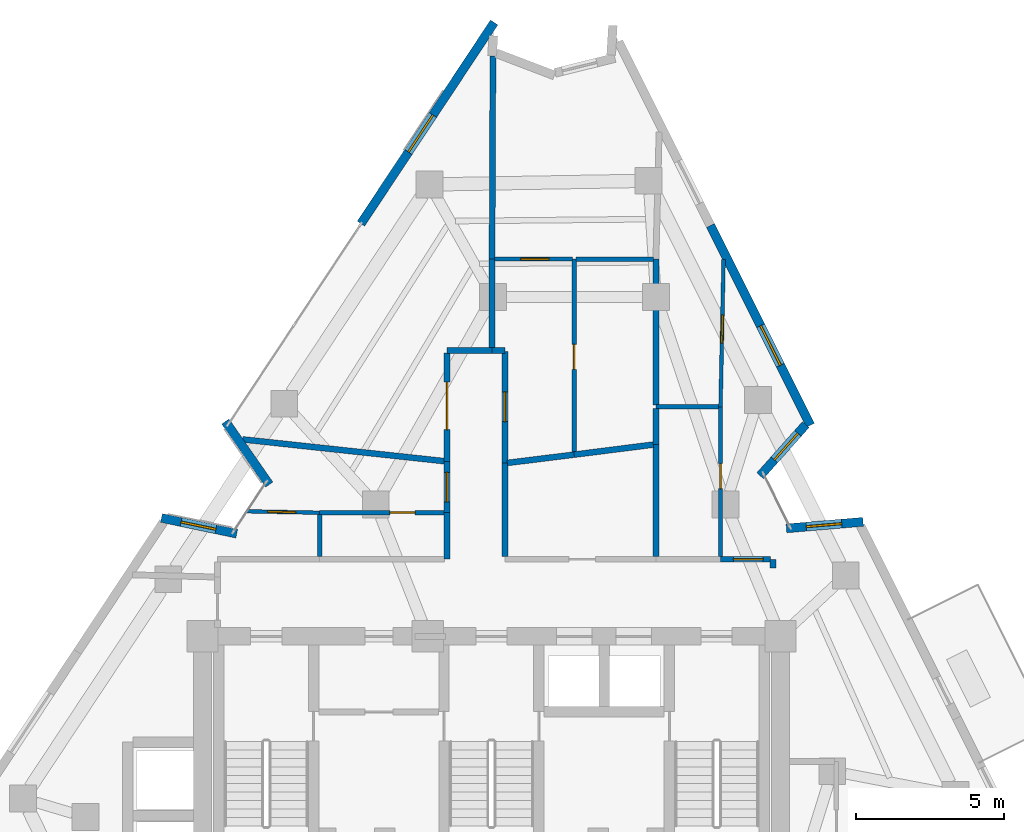
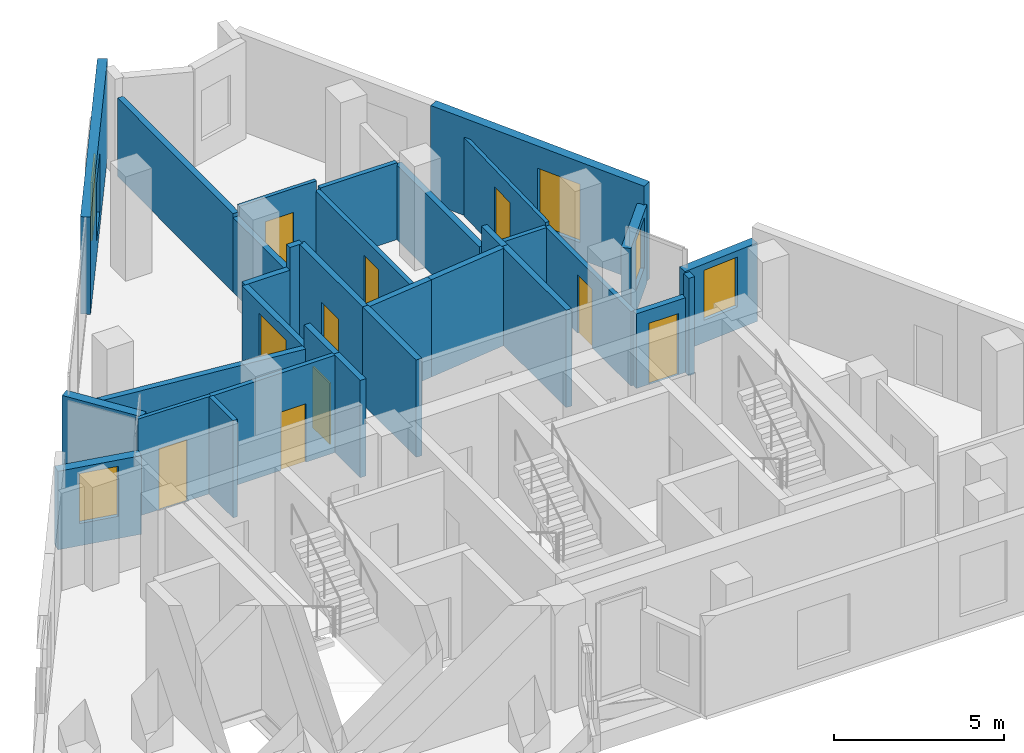
# One storey, part 6 of 9: 32 walls, 10 doors, 5 windows, 15 openings.
"""IFC4 building model written with IfcOpenShell, lengths in metres."""

from ifc_helpers import new_model, si_unit, direction, frame, frame_2d, origin, place, context, subcontext, project, spatial, rectangle, extrude, material, layer, layer_set, type_object, element, fill, save


model = new_model("IFC4")

# Units and contexts
model_context = context("Model", 3, precision=1e-05, world=origin(), true_north=direction((0.0, 1.0)))
body_context = subcontext(model_context, "Body", "Model", "MODEL_VIEW")
ifc_project = project(units=[si_unit("LENGTHUNIT", "METRE"), si_unit("AREAUNIT", "SQUARE_METRE"), si_unit("VOLUMEUNIT", "CUBIC_METRE"), si_unit("PLANEANGLEUNIT", "RADIAN"), si_unit("MASSUNIT", "GRAM", prefix="KILO")], contexts=[model_context])

# Site, building, storey
site_placement = place(None, origin())
site = spatial("IfcSite", under=ifc_project, at=site_placement, CompositionType="ELEMENT")
building_placement = place(site_placement, origin())
building = spatial("IfcBuilding", under=site, at=building_placement, Name="Almagre Mirador Tower", CompositionType="ELEMENT")
storey_placement = place(building_placement, frame((0.0, 0.0, 259.5)))
storey = spatial("IfcBuildingStorey", under=building, at=storey_placement, Name="L67", CompositionType="ELEMENT", Elevation=259.5)

# Wall, opening, window
ifc_material_1 = material(Name="Precast concrete C50/60", Category="concrete")
ifc_layer_1 = layer(ifc_material_1, 0.300048828125)
ifc_layer_set_1 = layer_set([ifc_layer_1], Name="Precast concrete C50/60")
wall_type_1 = type_object("IfcWallType", Name="WAL-EXT-300", PredefinedType="SOLIDWALL", material=ifc_layer_set_1)
wall_1_placement = place(storey_placement, frame((26.1640625, 18.74462890625, 0.0), z_axis=(0.0, 0.0, 1.0), x_axis=(0.978800719283, -0.204814921162, 0.0)))
wall_1 = element("IfcWall", 1, at=wall_1_placement, inside=storey, type_object=wall_type_1, Name="L67 expressed almagre precast frame wall 01", PredefinedType="SOLIDWALL", context=body_context, shape_type="SweptSolid", body=[
    extrude(rectangle(XDim=2.59375, YDim=0.300048828125, at=frame_2d((1.296875, 0.0))), origin(), (0.0, 0.0, 1.0), 2.824951171875),
])
opening_1_placement = place(wall_1_placement, frame((0.675048828125, 0.0, 0.800048828125)))
opening_1 = element("IfcOpeningElement", 2, at=opening_1_placement, cuts=wall_1, Name="Opening WN-04", PredefinedType="OPENING", context=body_context, shape_type="SweptSolid", body=[
    extrude(rectangle(XDim=1.199951171875, YDim=1.800048828125, at=frame_2d((0.60009765625, 0.89990234375))), frame((0.0, 0.159902, 0.0), z_axis=(0.0, -1.0, 0.0), x_axis=(1.0, 0.0, 0.0)), (0.0, 0.0, 1.0), 0.320049),
])
ifc_material_2 = material(Name="Dark solar-control laminated hurricane glass", Category="glass")
window_type_1 = type_object("IfcWindowType", Name="WIN-1200X1800", PartitioningType="SINGLE_PANEL", PredefinedType="WINDOW", material=ifc_material_2)
window_1_placement = place(opening_1_placement, origin())
window_1 = element("IfcWindow", 3, at=window_1_placement, inside=storey, type_object=window_type_1, Name="L67 recessed hurricane window L67-UF-KT", OverallHeight=1.800048828125, OverallWidth=1.199951171875, PartitioningType="SINGLE_PANEL", PredefinedType="WINDOW", context=body_context, shape_type="SweptSolid", body=[
    extrude(rectangle(XDim=1.199951171875, YDim=1.800048828125, at=frame_2d((0.60009765625, 0.89990234375))), frame((0.0, 0.030029296875, 0.0), z_axis=(0.0, -1.0, 0.0), x_axis=(1.0, 0.0, 0.0)), (0.0, 0.0, 1.0), 0.06005859375),
])
fill(opening_1, window_1)

# Wall
wall_2_placement = place(storey_placement, frame((29.7998046875, 19.869140625, 0.0), z_axis=(0.0, 0.0, 1.0), x_axis=(-0.570863153193, 0.821045224288, 0.0)))
element("IfcWall", 4, at=wall_2_placement, inside=storey, type_object=wall_type_1, Name="L67 expressed almagre precast frame wall 02", PredefinedType="SOLIDWALL", context=body_context, shape_type="SweptSolid", body=[
    extrude(rectangle(XDim=2.59375, YDim=0.300048828125, at=frame_2d((1.296875, 0.0))), origin(), (0.0, 0.0, 1.0), 2.824951171875),
])

# Wall, opening, window
wall_3_placement = place(storey_placement, frame((32.8955078125, 28.674560546875, 0.0), z_axis=(0.0, 0.0, 1.0), x_axis=(0.552110297452, 0.83377108336, 0.0)))
wall_3 = element("IfcWall", 5, at=wall_3_placement, inside=storey, type_object=wall_type_1, Name="L67 expressed almagre precast frame wall 03", PredefinedType="SOLIDWALL", context=body_context, shape_type="SweptSolid", body=[
    extrude(rectangle(XDim=8.144287109375, YDim=0.300048828125, at=frame_2d((4.072265625, 0.0))), origin(), (0.0, 0.0, 1.0), 3.5),
])
opening_2_placement = place(wall_3_placement, frame((2.89990234375, 0.0, 0.60009765625)))
opening_2 = element("IfcOpeningElement", 6, at=opening_2_placement, cuts=wall_3, Name="Opening WN-03", PredefinedType="OPENING", context=body_context, shape_type="SweptSolid", body=[
    extrude(rectangle(XDim=1.5, YDim=2.10009765625, at=frame_2d((0.75, 1.050048828125))), frame((0.0, 0.159902, 0.0), z_axis=(0.0, -1.0, 0.0), x_axis=(1.0, 0.0, 0.0)), (0.0, 0.0, 1.0), 0.320049),
])
ifc_material_3 = material(Name="Dark solar-control laminated hurricane glass", Category="glass")
window_type_2 = type_object("IfcWindowType", Name="WIN-1500X2100", PartitioningType="DOUBLE_PANEL_VERTICAL", PredefinedType="WINDOW", material=ifc_material_3)
window_2_placement = place(opening_2_placement, origin())
window_2 = element("IfcWindow", 7, at=window_2_placement, inside=storey, type_object=window_type_2, Name="L67 recessed hurricane window L67-RST-H", OverallHeight=2.10009765625, OverallWidth=1.5, PartitioningType="SINGLE_PANEL", PredefinedType="WINDOW", context=body_context, shape_type="SweptSolid", body=[
    extrude(rectangle(XDim=1.5, YDim=2.10009765625, at=frame_2d((0.75, 1.050048828125))), frame((0.0, 0.030029296875, 0.0), z_axis=(0.0, -1.0, 0.0), x_axis=(1.0, 0.0, 0.0)), (0.0, 0.0, 1.0), 0.06005859375),
])
fill(opening_2, window_2)

wall_4_placement = place(storey_placement, frame((44.694580078125, 28.610595703125, 0.0), z_axis=(0.0, 0.0, 1.0), x_axis=(0.447161731119, -0.894453121311, 0.0)))
wall_4 = element("IfcWall", 8, at=wall_4_placement, inside=storey, type_object=wall_type_1, Name="L67 expressed almagre precast frame wall 09", PredefinedType="SOLIDWALL", context=body_context, shape_type="SweptSolid", body=[
    extrude(rectangle(XDim=7.53173828125, YDim=0.300048828125, at=frame_2d((3.765869140625, 0.0))), origin(), (0.0, 0.0, 1.0), 3.5),
])
opening_3_placement = place(wall_4_placement, frame((3.77490234375, 0.0, 0.60009765625)))
opening_3 = element("IfcOpeningElement", 9, at=opening_3_placement, cuts=wall_4, Name="Opening WN-03", PredefinedType="OPENING", context=body_context, shape_type="SweptSolid", body=[
    extrude(rectangle(XDim=1.5, YDim=2.10009765625, at=frame_2d((0.75, 1.050048828125))), frame((0.0, 0.159902, 0.0), z_axis=(0.0, -1.0, 0.0), x_axis=(1.0, 0.0, 0.0)), (0.0, 0.0, 1.0), 0.320049),
])
window_3_placement = place(opening_3_placement, origin())
window_3 = element("IfcWindow", 10, at=window_3_placement, inside=storey, type_object=window_type_2, Name="L67 recessed hurricane window L67-UJ-ST", OverallHeight=2.10009765625, OverallWidth=1.5, PartitioningType="SINGLE_PANEL", PredefinedType="WINDOW", context=body_context, shape_type="SweptSolid", body=[
    extrude(rectangle(XDim=1.5, YDim=2.10009765625, at=frame_2d((0.75, 1.050048828125))), frame((0.0, 0.030029296875, 0.0), z_axis=(0.0, -1.0, 0.0), x_axis=(1.0, 0.0, 0.0)), (0.0, 0.0, 1.0), 0.06005859375),
])
fill(opening_3, window_3)

wall_5_placement = place(storey_placement, frame((47.90673828125, 21.89453125, 0.0), z_axis=(0.0, 0.0, 1.0), x_axis=(-0.665751463499, -0.746173564829, 0.0)))
wall_5 = element("IfcWall", 11, at=wall_5_placement, inside=storey, type_object=wall_type_1, Name="L67 expressed almagre precast frame wall 10", PredefinedType="SOLIDWALL", context=body_context, shape_type="SweptSolid", body=[
    extrude(rectangle(XDim=2.313232421875, YDim=0.300048828125, at=frame_2d((1.15673828125, 0.0))), origin(), (0.0, 0.0, 1.0), 2.824951171875),
])
opening_4_placement = place(wall_5_placement, frame((0.39501953125, 0.0, 0.800048828125)))
opening_4 = element("IfcOpeningElement", 12, at=opening_4_placement, cuts=wall_5, Name="Opening WN-04", PredefinedType="OPENING", context=body_context, shape_type="SweptSolid", body=[
    extrude(rectangle(XDim=1.199951171875, YDim=1.800048828125, at=frame_2d((0.60009765625, 0.89990234375))), frame((0.0, 0.159902, 0.0), z_axis=(0.0, -1.0, 0.0), x_axis=(1.0, 0.0, 0.0)), (0.0, 0.0, 1.0), 0.320049),
])
window_4_placement = place(opening_4_placement, origin())
window_4 = element("IfcWindow", 13, at=window_4_placement, inside=storey, type_object=window_type_1, Name="L67 recessed hurricane window L67-UJ-ST", OverallHeight=1.800048828125, OverallWidth=1.199951171875, PartitioningType="SINGLE_PANEL", PredefinedType="WINDOW", context=body_context, shape_type="SweptSolid", body=[
    extrude(rectangle(XDim=1.199951171875, YDim=1.800048828125, at=frame_2d((0.60009765625, 0.89990234375))), frame((0.0, 0.030029296875, 0.0), z_axis=(0.0, -1.0, 0.0), x_axis=(1.0, 0.0, 0.0)), (0.0, 0.0, 1.0), 0.06005859375),
])
fill(opening_4, window_4)

wall_6_placement = place(storey_placement, frame((47.25439453125, 18.39208984375, 0.0), z_axis=(0.0, 0.0, 1.0), x_axis=(0.99637564352, 0.085062194895, 0.0)))
wall_6 = element("IfcWall", 14, at=wall_6_placement, inside=storey, type_object=wall_type_1, Name="L67 expressed almagre precast frame wall 11", PredefinedType="SOLIDWALL", context=body_context, shape_type="SweptSolid", body=[
    extrude(rectangle(XDim=2.5947265625, YDim=0.300048828125, at=frame_2d((1.29736328125, 0.0))), origin(), (0.0, 0.0, 1.0), 2.824951171875),
])
opening_5_placement = place(wall_6_placement, frame((0.675048828125, 0.0, 0.800048828125)))
opening_5 = element("IfcOpeningElement", 15, at=opening_5_placement, cuts=wall_6, Name="Opening WN-04", PredefinedType="OPENING", context=body_context, shape_type="SweptSolid", body=[
    extrude(rectangle(XDim=1.199951171875, YDim=1.800048828125, at=frame_2d((0.60009765625, 0.89990234375))), frame((0.0, 0.159902, 0.0), z_axis=(0.0, -1.0, 0.0), x_axis=(1.0, 0.0, 0.0)), (0.0, 0.0, 1.0), 0.320049),
])
window_5_placement = place(opening_5_placement, origin())
window_5 = element("IfcWindow", 16, at=window_5_placement, inside=storey, type_object=window_type_1, Name="L67 recessed hurricane window L67-UJ-ST", OverallHeight=1.800048828125, OverallWidth=1.199951171875, PartitioningType="SINGLE_PANEL", PredefinedType="WINDOW", context=body_context, shape_type="SweptSolid", body=[
    extrude(rectangle(XDim=1.199951171875, YDim=1.800048828125, at=frame_2d((0.60009765625, 0.89990234375))), frame((0.0, 0.030029296875, 0.0), z_axis=(0.0, -1.0, 0.0), x_axis=(1.0, 0.0, 0.0)), (0.0, 0.0, 1.0), 0.06005859375),
])
fill(opening_5, window_5)

# Wall, opening, door
ifc_material_4 = material(Name="Gypsum acoustic stud partition", Category="other")
ifc_layer_2 = layer(ifc_material_4, 0.125)
ifc_layer_set_2 = layer_set([ifc_layer_2], Name="Gypsum acoustic stud partition")
wall_type_2 = type_object("IfcWallType", Name="WAL-PRT-125-UTL", PredefinedType="PARTITIONING", material=ifc_layer_set_2)
wall_7_placement = place(storey_placement, frame((29.047119140625, 18.968017578125, 0.0), z_axis=(0.0, 0.0, 1.0), x_axis=(0.999807821657, -0.019604074934, 0.0)))
wall_7 = element("IfcWall", 17, at=wall_7_placement, inside=storey, type_object=wall_type_2, Name="L67 interior partition 041", PredefinedType="PARTITIONING", context=body_context, shape_type="SweptSolid", body=[
    extrude(rectangle(XDim=2.453369140625, YDim=0.125, at=frame_2d((1.2265625, 0.0))), origin(), (0.0, 0.0, 1.0), 3.5),
])
opening_6_placement = place(wall_7_placement, frame((0.696044921875, 0.0, 0.0)))
opening_6 = element("IfcOpeningElement", 18, at=opening_6_placement, cuts=wall_7, Name="Opening UD-01", PredefinedType="OPENING", context=body_context, shape_type="SweptSolid", body=[
    extrude(rectangle(XDim=0.949951171875, YDim=2.199951171875, at=frame_2d((0.47509765625, 1.10009765625))), frame((0.0, 0.0725, 0.0), z_axis=(0.0, -1.0, 0.0), x_axis=(1.0, 0.0, 0.0)), (0.0, 0.0, 1.0), 0.145),
])
ifc_material_5 = material(Name="Solid American walnut timber", Category="wood")
door_type_1 = type_object("IfcDoorType", Name="DOR-UNR-950X2200", OperationType="NOTDEFINED", PredefinedType="DOOR", material=ifc_material_5)
door_1_placement = place(opening_6_placement, origin())
door_1 = element("IfcDoor", 19, at=door_1_placement, inside=storey, type_object=door_type_1, Name="DR-2056 L67 interior door L67-UF-ST to L67-UF-KT", OperationType="SINGLE_SWING_RIGHT", OverallHeight=2.199951171875, OverallWidth=0.949951171875, PredefinedType="DOOR", context=body_context, shape_type="SweptSolid", body=[
    extrude(rectangle(XDim=0.949951171875, YDim=2.199951171875, at=frame_2d((0.47509765625, 1.10009765625))), frame((0.0, 0.02490234375, 0.0), z_axis=(0.0, -1.0, 0.0), x_axis=(1.0, 0.0, 0.0)), (0.0, 0.0, 1.0), 0.050048828125),
])
fill(opening_6, door_1)

wall_8_placement = place(storey_placement, frame((45.133056640625, 27.468994140625, 0.0), z_axis=(0.0, 0.0, 1.0), x_axis=(-0.020687931957, -0.999785981834, 0.0)))
wall_8 = element("IfcWall", 20, at=wall_8_placement, inside=storey, type_object=wall_type_2, Name="L67 interior partition 050", PredefinedType="PARTITIONING", context=body_context, shape_type="SweptSolid", body=[
    extrude(rectangle(XDim=4.97998046875, YDim=0.125, at=frame_2d((2.489990234375, 0.0))), origin(), (0.0, 0.0, 1.0), 2.820068359375),
])
opening_7_placement = place(wall_8_placement, frame((1.87646484375, 0.0, 0.0)))
opening_7 = element("IfcOpeningElement", 21, at=opening_7_placement, cuts=wall_8, Name="Opening UD-01", PredefinedType="OPENING", context=body_context, shape_type="SweptSolid", body=[
    extrude(rectangle(XDim=0.949951171875, YDim=2.199951171875, at=frame_2d((0.47509765625, 1.10009765625))), frame((0.0, 0.0725, 0.0), z_axis=(0.0, -1.0, 0.0), x_axis=(1.0, 0.0, 0.0)), (0.0, 0.0, 1.0), 0.145),
])
door_2_placement = place(opening_7_placement, origin())
door_2 = element("IfcDoor", 22, at=door_2_placement, inside=storey, type_object=door_type_1, Name="DR-2059 L67 interior door L67-UJ-ST to L67-UJ-KT", OperationType="SINGLE_SWING_LEFT", OverallHeight=2.199951171875, OverallWidth=0.949951171875, PredefinedType="DOOR", context=body_context, shape_type="SweptSolid", body=[
    extrude(rectangle(XDim=0.949951171875, YDim=2.199951171875, at=frame_2d((0.47509765625, 1.10009765625))), frame((0.0, 0.02490234375, 0.0), z_axis=(0.0, -1.0, 0.0), x_axis=(1.0, 0.0, 0.0)), (0.0, 0.0, 1.0), 0.050048828125),
])
fill(opening_7, door_2)

wall_9_placement = place(storey_placement, frame((40.030029296875, 27.47998046875, 0.0), z_axis=(0.0, 0.0, 1.0), x_axis=(-1.0, 0.0, 0.0)))
wall_9 = element("IfcWall", 23, at=wall_9_placement, inside=storey, type_object=wall_type_2, Name="L67 interior partition 056", PredefinedType="PARTITIONING", context=body_context, shape_type="SweptSolid", body=[
    extrude(rectangle(XDim=2.625, YDim=0.125, at=frame_2d((1.3125, 0.0))), origin(), (0.0, 0.0, 1.0), 3.06103515625),
])
opening_8_placement = place(wall_9_placement, frame((0.790771484375, 0.0, 0.0)))
opening_8 = element("IfcOpeningElement", 24, at=opening_8_placement, cuts=wall_9, Name="Opening UD-01", PredefinedType="OPENING", context=body_context, shape_type="SweptSolid", body=[
    extrude(rectangle(XDim=0.949951171875, YDim=2.199951171875, at=frame_2d((0.47509765625, 1.10009765625))), frame((0.0, 0.0725, 0.0), z_axis=(0.0, -1.0, 0.0), x_axis=(1.0, 0.0, 0.0)), (0.0, 0.0, 1.0), 0.145),
])
door_3_placement = place(opening_8_placement, origin())
door_3 = element("IfcDoor", 25, at=door_3_placement, inside=storey, type_object=door_type_1, Name="DR-2062 L67 interior door L67-UK-ST to L67-UK-KT", OperationType="SINGLE_SWING_RIGHT", OverallHeight=2.199951171875, OverallWidth=0.949951171875, PredefinedType="DOOR", context=body_context, shape_type="SweptSolid", body=[
    extrude(rectangle(XDim=0.949951171875, YDim=2.199951171875, at=frame_2d((0.47509765625, 1.10009765625))), frame((0.0, 0.02490234375, 0.0), z_axis=(0.0, -1.0, 0.0), x_axis=(1.0, 0.0, 0.0)), (0.0, 0.0, 1.0), 0.050048828125),
])
fill(opening_8, door_3)

ifc_material_6 = material(Name="Gypsum acoustic stud partition", Category="other")
ifc_layer_3 = layer(ifc_material_6, 0.14990234375)
ifc_layer_set_3 = layer_set([ifc_layer_3], Name="Gypsum acoustic stud partition")
wall_type_3 = type_object("IfcWallType", Name="WAL-PRT-150-STD", PredefinedType="PARTITIONING", material=ifc_layer_set_3)
wall_10_placement = place(storey_placement, frame((31.5, 18.919921875, 0.0), z_axis=(0.0, 0.0, 1.0), x_axis=(1.0, 0.0, 0.0)))
wall_10 = element("IfcWall", 26, at=wall_10_placement, inside=storey, type_object=wall_type_3, Name="L67 interior partition 040", PredefinedType="PARTITIONING", context=body_context, shape_type="SweptSolid", body=[
    extrude(rectangle(XDim=4.215087890625, YDim=0.14990234375, at=frame_2d((2.107421875, 0.0))), origin(), (0.0, 0.0, 1.0), 3.5),
])
opening_9_placement = place(wall_10_placement, frame((2.37060546875, 0.0, 0.0)))
opening_9 = element("IfcOpeningElement", 27, at=opening_9_placement, cuts=wall_10, Name="Opening UD-04", PredefinedType="OPENING", context=body_context, shape_type="SweptSolid", body=[
    extrude(rectangle(XDim=0.85009765625, YDim=2.10009765625, at=frame_2d((0.425048828125, 1.050048828125))), frame((0.0, 0.084951, 0.0), z_axis=(0.0, -1.0, 0.0), x_axis=(1.0, 0.0, 0.0)), (0.0, 0.0, 1.0), 0.169902),
])
ifc_material_7 = material(Name="Moisture-resistant oak timber", Category="wood")
door_type_2 = type_object("IfcDoorType", Name="DOR-UNR-850X2100", OperationType="NOTDEFINED", PredefinedType="DOOR", material=ifc_material_7)
door_4_placement = place(opening_9_placement, origin())
door_4 = element("IfcDoor", 28, at=door_4_placement, inside=storey, type_object=door_type_2, Name="DR-2057 L67 interior door L67-UF-ST to L67-UF-BT", OperationType="SINGLE_SWING_LEFT", OverallHeight=2.10009765625, OverallWidth=0.85009765625, PredefinedType="DOOR", context=body_context, shape_type="SweptSolid", body=[
    extrude(rectangle(XDim=0.85009765625, YDim=2.10009765625, at=frame_2d((0.425048828125, 1.050048828125))), frame((0.0, 0.02490234375, 0.0), z_axis=(0.0, -1.0, 0.0), x_axis=(1.0, 0.0, 0.0)), (0.0, 0.0, 1.0), 0.050048828125),
])
fill(opening_9, door_4)

# Wall
wall_11_placement = place(storey_placement, frame((31.5, 18.860107421875, 0.0), z_axis=(0.0, 0.0, 1.0), x_axis=(0.0, -1.0, 0.0)))
element("IfcWall", 29, at=wall_11_placement, inside=storey, type_object=wall_type_3, Name="L67 interior partition 043", PredefinedType="PARTITIONING", context=body_context, shape_type="SweptSolid", body=[
    extrude(rectangle(XDim=1.425048828125, YDim=0.14990234375, at=frame_2d((0.71240234375, 0.0))), origin(), (0.0, 0.0, 1.0), 3.5),
])

# Wall, opening, door
wall_12_placement = place(storey_placement, frame((45.030029296875, 22.489990234375, 0.0), z_axis=(0.0, 0.0, 1.0), x_axis=(0.0, -1.0, 0.0)))
wall_12 = element("IfcWall", 30, at=wall_12_placement, inside=storey, type_object=wall_type_3, Name="L67 interior partition 049", PredefinedType="PARTITIONING", context=body_context, shape_type="SweptSolid", body=[
    extrude(rectangle(XDim=5.054931640625, YDim=0.14990234375, at=frame_2d((2.52734375, 0.0))), origin(), (0.0, 0.0, 1.0), 2.68505859375),
])
opening_10_placement = place(wall_12_placement, frame((1.9091796875, 0.0, 0.0)))
opening_10 = element("IfcOpeningElement", 31, at=opening_10_placement, cuts=wall_12, Name="Opening UD-04", PredefinedType="OPENING", context=body_context, shape_type="SweptSolid", body=[
    extrude(rectangle(XDim=0.85009765625, YDim=2.10009765625, at=frame_2d((0.425048828125, 1.050048828125))), frame((0.0, 0.084951, 0.0), z_axis=(0.0, -1.0, 0.0), x_axis=(1.0, 0.0, 0.0)), (0.0, 0.0, 1.0), 0.169902),
])
door_5_placement = place(opening_10_placement, origin())
door_5 = element("IfcDoor", 32, at=door_5_placement, inside=storey, type_object=door_type_2, Name="DR-2060 L67 interior door L67-UJ-ST to L67-UJ-BT", OperationType="SINGLE_SWING_RIGHT", OverallHeight=2.10009765625, OverallWidth=0.85009765625, PredefinedType="DOOR", context=body_context, shape_type="SweptSolid", body=[
    extrude(rectangle(XDim=0.85009765625, YDim=2.10009765625, at=frame_2d((0.425048828125, 1.050048828125))), frame((0.0, 0.02490234375, 0.0), z_axis=(0.0, -1.0, 0.0), x_axis=(1.0, 0.0, 0.0)), (0.0, 0.0, 1.0), 0.050048828125),
])
fill(opening_10, door_5)

# Wall
wall_13_placement = place(storey_placement, frame((44.969970703125, 22.489990234375, 0.0), z_axis=(0.0, 0.0, 1.0), x_axis=(-1.0, 0.0, 0.0)))
element("IfcWall", 33, at=wall_13_placement, inside=storey, type_object=wall_type_3, Name="L67 interior partition 051", PredefinedType="PARTITIONING", context=body_context, shape_type="SweptSolid", body=[
    extrude(rectangle(XDim=2.119873046875, YDim=0.14990234375, at=frame_2d((1.06005859375, 0.0))), origin(), (0.0, 0.0, 1.0), 2.68505859375),
])

# Wall, opening, door
wall_14_placement = place(storey_placement, frame((40.090087890625, 20.965087890625, 0.0), z_axis=(0.0, 0.0, 1.0), x_axis=(0.0, 1.0, 0.0)))
wall_14 = element("IfcWall", 34, at=wall_14_placement, inside=storey, type_object=wall_type_3, Name="L67 interior partition 055", PredefinedType="PARTITIONING", context=body_context, shape_type="SweptSolid", body=[
    extrude(rectangle(XDim=6.514892578125, YDim=0.14990234375, at=frame_2d((3.25732421875, 0.0))), origin(), (0.0, 0.0, 1.0), 2.68505859375),
])
opening_11_placement = place(wall_14_placement, frame((2.7900390625, 0.0, 0.0)))
opening_11 = element("IfcOpeningElement", 35, at=opening_11_placement, cuts=wall_14, Name="Opening UD-04", PredefinedType="OPENING", context=body_context, shape_type="SweptSolid", body=[
    extrude(rectangle(XDim=0.85009765625, YDim=2.10009765625, at=frame_2d((0.425048828125, 1.050048828125))), frame((0.0, 0.084951, 0.0), z_axis=(0.0, -1.0, 0.0), x_axis=(1.0, 0.0, 0.0)), (0.0, 0.0, 1.0), 0.169902),
])
door_6_placement = place(opening_11_placement, origin())
door_6 = element("IfcDoor", 36, at=door_6_placement, inside=storey, type_object=door_type_2, Name="DR-2063 L67 interior door L67-UK-ST to L67-UK-BT", OperationType="SINGLE_SWING_LEFT", OverallHeight=2.10009765625, OverallWidth=0.85009765625, PredefinedType="DOOR", context=body_context, shape_type="SweptSolid", body=[
    extrude(rectangle(XDim=0.85009765625, YDim=2.10009765625, at=frame_2d((0.425048828125, 1.050048828125))), frame((0.0, 0.02490234375, 0.0), z_axis=(0.0, -1.0, 0.0), x_axis=(1.0, 0.0, 0.0)), (0.0, 0.0, 1.0), 0.050048828125),
])
fill(opening_11, door_6)

# Wall
wall_15_placement = place(storey_placement, frame((42.764892578125, 27.47998046875, 0.0), z_axis=(0.0, 0.0, 1.0), x_axis=(-1.0, 0.0, 0.0)))
element("IfcWall", 37, at=wall_15_placement, inside=storey, type_object=wall_type_3, Name="L67 interior partition 057", PredefinedType="PARTITIONING", context=body_context, shape_type="SweptSolid", body=[
    extrude(rectangle(XDim=2.614990234375, YDim=0.14990234375, at=frame_2d((1.3076171875, 0.0))), origin(), (0.0, 0.0, 1.0), 2.763916015625),
])

# Wall, opening, door
ifc_material_8 = material(Name="Gypsum acoustic stud partition", Category="other")
ifc_layer_4 = layer(ifc_material_8, 0.199951171875)
ifc_layer_set_4 = layer_set([ifc_layer_4], Name="Gypsum acoustic stud partition")
wall_type_4 = type_object("IfcWallType", Name="WAL-PRT-200-EI60", PredefinedType="PARTITIONING", material=ifc_layer_set_4)
wall_16_placement = place(storey_placement, frame((35.800048828125, 20.64990234375, 0.0), z_axis=(0.0, 0.0, 1.0), x_axis=(0.0, -1.0, 0.0)))
wall_16 = element("IfcWall", 38, at=wall_16_placement, inside=storey, type_object=wall_type_4, Name="L67 interior partition 002", PredefinedType="PARTITIONING", context=body_context, shape_type="SweptSolid", body=[
    extrude(rectangle(XDim=1.72998046875, YDim=0.199951171875, at=frame_2d((0.864990234375, 0.0))), origin(), (0.0, 0.0, 1.0), 3.5),
])
opening_12_placement = place(wall_16_placement, frame((0.364990234375, 0.0, 0.0)))
opening_12 = element("IfcOpeningElement", 39, at=opening_12_placement, cuts=wall_16, Name="Opening ID-01", PredefinedType="OPENING", context=body_context, shape_type="SweptSolid", body=[
    extrude(rectangle(XDim=1.0, YDim=2.199951171875, at=frame_2d((0.5, 1.10009765625))), frame((0.0, 0.110098, 0.0), z_axis=(0.0, -1.0, 0.0), x_axis=(1.0, 0.0, 0.0)), (0.0, 0.0, 1.0), 0.219951),
])
ifc_material_9 = material(Name="Fire-rated walnut timber", Category="wood")
door_type_3 = type_object("IfcDoorType", Name="DOR-FD60-1000X2200", OperationType="NOTDEFINED", PredefinedType="DOOR", material=ifc_material_9)
door_7_placement = place(opening_12_placement, origin())
door_7 = element("IfcDoor", 40, at=door_7_placement, inside=storey, type_object=door_type_3, Name="DR-2055 L67 interior door L67-RCOR to L67-UF-ST", OperationType="SINGLE_SWING_LEFT", OverallHeight=2.199951171875, OverallWidth=1.0, PredefinedType="DOOR", context=body_context, shape_type="SweptSolid", body=[
    extrude(rectangle(XDim=1.0, YDim=2.199951171875, at=frame_2d((0.5, 1.10009765625))), frame((0.0, 0.02490234375, 0.0), z_axis=(0.0, -1.0, 0.0), x_axis=(1.0, 0.0, 0.0)), (0.0, 0.0, 1.0), 0.050048828125),
])
fill(opening_12, door_7)

# Walls
wall_17_placement = place(storey_placement, frame((35.800048828125, 18.919921875, 0.0), z_axis=(0.0, 0.0, 1.0), x_axis=(0.0, -1.0, 0.0)))
element("IfcWall", 41, at=wall_17_placement, inside=storey, type_object=wall_type_4, Name="L67 interior partition 003", PredefinedType="PARTITIONING", context=body_context, shape_type="SweptSolid", body=[
    extrude(rectangle(XDim=1.56982421875, YDim=0.199951171875, at=frame_2d((0.784912109375, 0.0))), origin(), (0.0, 0.0, 1.0), 3.5),
])
wall_18_placement = place(storey_placement, frame((37.75, 17.43505859375, 0.0), z_axis=(0.0, 0.0, 1.0), x_axis=(0.0, 1.0, 0.0)))
element("IfcWall", 42, at=wall_18_placement, inside=storey, type_object=wall_type_4, Name="L67 interior partition 008", PredefinedType="PARTITIONING", context=body_context, shape_type="SweptSolid", body=[
    extrude(rectangle(XDim=3.155029296875, YDim=0.199951171875, at=frame_2d((1.57763671875, 0.0))), origin(), (0.0, 0.0, 1.0), 3.5),
])
wall_19_placement = place(storey_placement, frame((37.320068359375, 24.39990234375, 0.0), z_axis=(0.0, 0.0, 1.0), x_axis=(-1.0, 0.0, 0.0)))
element("IfcWall", 43, at=wall_19_placement, inside=storey, type_object=wall_type_4, Name="L67 interior partition 009", PredefinedType="PARTITIONING", context=body_context, shape_type="SweptSolid", body=[
    extrude(rectangle(XDim=1.52001953125, YDim=0.199951171875, at=frame_2d((0.760009765625, 0.0))), origin(), (0.0, 0.0, 1.0), 2.68505859375),
])

# Wall, opening, door
wall_20_placement = place(storey_placement, frame((35.800048828125, 24.31494140625, 0.0), z_axis=(0.0, 0.0, 1.0), x_axis=(0.0, -1.0, 0.0)))
wall_20 = element("IfcWall", 44, at=wall_20_placement, inside=storey, type_object=wall_type_4, Name="L67 interior partition 010", PredefinedType="PARTITIONING", context=body_context, shape_type="SweptSolid", body=[
    extrude(rectangle(XDim=3.6650390625, YDim=0.199951171875, at=frame_2d((1.83251953125, 0.0))), origin(), (0.0, 0.0, 1.0), 2.68505859375),
])
opening_13_placement = place(wall_20_placement, frame((0.989990234375, 0.0, 0.0)))
opening_13 = element("IfcOpeningElement", 45, at=opening_13_placement, cuts=wall_20, Name="Opening ID-05", PredefinedType="OPENING", context=body_context, shape_type="SweptSolid", body=[
    extrude(rectangle(XDim=1.60009765625, YDim=2.300048828125, at=frame_2d((0.800048828125, 1.14990234375))), frame((0.0, 0.110098, 0.0), z_axis=(0.0, -1.0, 0.0), x_axis=(1.0, 0.0, 0.0)), (0.0, 0.0, 1.0), 0.219951),
])
ifc_material_10 = material(Name="Fire-rated acoustic timber", Category="wood")
door_type_4 = type_object("IfcDoorType", Name="DOR-FD60-1600X2300", OperationType="DOUBLE_DOOR_SINGLE_SWING", PredefinedType="DOOR", material=ifc_material_10)
door_8_placement = place(opening_13_placement, origin())
door_8 = element("IfcDoor", 46, at=door_8_placement, inside=storey, type_object=door_type_4, Name="DR-2052 L67 interior door L67-RCOR to L67-RST-H", OperationType="DOUBLE_DOOR_SINGLE_SWING", OverallHeight=2.300048828125, OverallWidth=1.60009765625, PredefinedType="DOOR", context=body_context, shape_type="SweptSolid", body=[
    extrude(rectangle(XDim=1.60009765625, YDim=2.300048828125, at=frame_2d((0.800048828125, 1.14990234375))), frame((0.0, 0.02490234375, 0.0), z_axis=(0.0, -1.0, 0.0), x_axis=(1.0, 0.0, 0.0)), (0.0, 0.0, 1.0), 0.050048828125),
])
fill(opening_13, door_8)

# Wall
wall_21_placement = place(storey_placement, frame((46.800048828125, 17.050048828125, 0.0), z_axis=(0.0, 0.0, 1.0), x_axis=(0.0, 1.0, 0.0)))
element("IfcWall", 47, at=wall_21_placement, inside=storey, type_object=wall_type_4, Name="L67 interior partition 011", PredefinedType="PARTITIONING", context=body_context, shape_type="SweptSolid", body=[
    extrude(rectangle(XDim=0.300048828125, YDim=0.199951171875, at=frame_2d((0.14990234375, 0.0))), origin(), (0.0, 0.0, 1.0), 3.5),
])

# Wall, opening, door
wall_22_placement = place(storey_placement, frame((46.715087890625, 17.35009765625, 0.0), z_axis=(0.0, 0.0, 1.0), x_axis=(-1.0, 0.0, 0.0)))
wall_22 = element("IfcWall", 48, at=wall_22_placement, inside=storey, type_object=wall_type_4, Name="L67 interior partition 012", PredefinedType="PARTITIONING", context=body_context, shape_type="SweptSolid", body=[
    extrude(rectangle(XDim=1.68505859375, YDim=0.199951171875, at=frame_2d((0.842529296875, 0.0))), origin(), (0.0, 0.0, 1.0), 2.68505859375),
])
opening_14_placement = place(wall_22_placement, frame((0.2509765625, 0.0, 0.0)))
opening_14 = element("IfcOpeningElement", 49, at=opening_14_placement, cuts=wall_22, Name="Opening ID-01", PredefinedType="OPENING", context=body_context, shape_type="SweptSolid", body=[
    extrude(rectangle(XDim=1.0, YDim=2.199951171875, at=frame_2d((0.5, 1.10009765625))), frame((0.0, 0.110098, 0.0), z_axis=(0.0, -1.0, 0.0), x_axis=(1.0, 0.0, 0.0)), (0.0, 0.0, 1.0), 0.219951),
])
door_9_placement = place(opening_14_placement, origin())
door_9 = element("IfcDoor", 50, at=door_9_placement, inside=storey, type_object=door_type_3, Name="DR-2058 L67 interior door L67-RCOR to L67-UJ-ST", OperationType="SINGLE_SWING_RIGHT", OverallHeight=2.199951171875, OverallWidth=1.0, PredefinedType="DOOR", context=body_context, shape_type="SweptSolid", body=[
    extrude(rectangle(XDim=1.0, YDim=2.199951171875, at=frame_2d((0.5, 1.10009765625))), frame((0.0, 0.02490234375, 0.0), z_axis=(0.0, -1.0, 0.0), x_axis=(1.0, 0.0, 0.0)), (0.0, 0.0, 1.0), 0.050048828125),
])
fill(opening_14, door_9)

wall_23_placement = place(storey_placement, frame((37.75, 20.590087890625, 0.0), z_axis=(0.0, 0.0, 1.0), x_axis=(0.0, 1.0, 0.0)))
wall_23 = element("IfcWall", 51, at=wall_23_placement, inside=storey, type_object=wall_type_4, Name="L67 interior partition 014", PredefinedType="PARTITIONING", context=body_context, shape_type="SweptSolid", body=[
    extrude(rectangle(XDim=3.764892578125, YDim=0.199951171875, at=frame_2d((1.88232421875, 0.0))), origin(), (0.0, 0.0, 1.0), 3.5),
])
opening_15_placement = place(wall_23_placement, frame((1.405029296875, 0.0, 0.0)))
opening_15 = element("IfcOpeningElement", 52, at=opening_15_placement, cuts=wall_23, Name="Opening ID-01", PredefinedType="OPENING", context=body_context, shape_type="SweptSolid", body=[
    extrude(rectangle(XDim=1.0, YDim=2.199951171875, at=frame_2d((0.5, 1.10009765625))), frame((0.0, 0.110098, 0.0), z_axis=(0.0, -1.0, 0.0), x_axis=(1.0, 0.0, 0.0)), (0.0, 0.0, 1.0), 0.219951),
])
door_10_placement = place(opening_15_placement, origin())
door_10 = element("IfcDoor", 53, at=door_10_placement, inside=storey, type_object=door_type_3, Name="DR-2061 L67 interior door L67-RCOR to L67-UK-ST", OperationType="SINGLE_SWING_LEFT", OverallHeight=2.199951171875, OverallWidth=1.0, PredefinedType="DOOR", context=body_context, shape_type="SweptSolid", body=[
    extrude(rectangle(XDim=1.0, YDim=2.199951171875, at=frame_2d((0.5, 1.10009765625))), frame((0.0, 0.02490234375, 0.0), z_axis=(0.0, -1.0, 0.0), x_axis=(1.0, 0.0, 0.0)), (0.0, 0.0, 1.0), 0.050048828125),
])
fill(opening_15, door_10)

# Walls
wall_24_placement = place(storey_placement, frame((37.75, 24.39990234375, 0.0), z_axis=(0.0, 0.0, 1.0), x_axis=(-1.0, 0.0, 0.0)))
element("IfcWall", 54, at=wall_24_placement, inside=storey, type_object=wall_type_4, Name="L67 interior partition 015", PredefinedType="PARTITIONING", context=body_context, shape_type="SweptSolid", body=[
    extrude(rectangle(XDim=0.429931640625, YDim=0.199951171875, at=frame_2d((0.21484375, 0.0))), origin(), (0.0, 0.0, 1.0), 3.5),
])
wall_25_placement = place(storey_placement, frame((35.715576171875, 20.65966796875, 0.0), z_axis=(0.0, 0.0, 1.0), x_axis=(-0.994230064401, 0.107268723501, 0.0)))
element("IfcWall", 55, at=wall_25_placement, inside=storey, type_object=wall_type_4, Name="L67 interior partition 042", PredefinedType="PARTITIONING", context=body_context, shape_type="SweptSolid", body=[
    extrude(rectangle(XDim=6.855224609375, YDim=0.199951171875, at=frame_2d((3.427734375, 0.0))), origin(), (0.0, 0.0, 1.0), 2.68505859375),
])
wall_26_placement = place(storey_placement, frame((42.85009765625, 17.43505859375, 0.0), z_axis=(0.0, 0.0, 1.0), x_axis=(0.0, 1.0, 0.0)))
element("IfcWall", 56, at=wall_26_placement, inside=storey, type_object=wall_type_4, Name="L67 interior partition 044", PredefinedType="PARTITIONING", context=body_context, shape_type="SweptSolid", body=[
    extrude(rectangle(XDim=3.794921875, YDim=0.199951171875, at=frame_2d((1.8974609375, 0.0))), origin(), (0.0, 0.0, 1.0), 3.5),
])
wall_27_placement = place(storey_placement, frame((40.090087890625, 20.8798828125, 0.0), z_axis=(0.0, 0.0, 1.0), x_axis=(-0.992420982951, -0.122884468503, 0.0)))
element("IfcWall", 57, at=wall_27_placement, inside=storey, type_object=wall_type_4, Name="L67 interior partition 045", PredefinedType="PARTITIONING", context=body_context, shape_type="SweptSolid", body=[
    extrude(rectangle(XDim=2.27294921875, YDim=0.199951171875, at=frame_2d((1.136474609375, 0.0))), origin(), (0.0, 0.0, 1.0), 3.5),
])
wall_28_placement = place(storey_placement, frame((42.765625, 21.21923828125, 0.0), z_axis=(0.0, 0.0, 1.0), x_axis=(-0.992052034516, -0.12582829893, 0.0)))
element("IfcWall", 58, at=wall_28_placement, inside=storey, type_object=wall_type_4, Name="L67 interior partition 046", PredefinedType="PARTITIONING", context=body_context, shape_type="SweptSolid", body=[
    extrude(rectangle(XDim=2.697021484375, YDim=0.199951171875, at=frame_2d((1.3486328125, 0.0))), origin(), (0.0, 0.0, 1.0), 3.5),
])
wall_29_placement = place(storey_placement, frame((37.320068359375, 24.485107421875, 0.0), z_axis=(0.0, 0.0, 1.0), x_axis=(0.0, 1.0, 0.0)))
element("IfcWall", 59, at=wall_29_placement, inside=storey, type_object=wall_type_4, Name="L67 interior partition 047", PredefinedType="PARTITIONING", context=body_context, shape_type="SweptSolid", body=[
    extrude(rectangle(XDim=2.994873046875, YDim=0.199951171875, at=frame_2d((1.49755859375, 0.0))), origin(), (0.0, 0.0, 1.0), 2.68505859375),
])
wall_30_placement = place(storey_placement, frame((37.320068359375, 27.47998046875, 0.0), z_axis=(0.0, 0.0, 1.0), x_axis=(0.004379987898, 0.999990407807, 0.0)))
element("IfcWall", 60, at=wall_30_placement, inside=storey, type_object=wall_type_4, Name="L67 interior partition 048", PredefinedType="PARTITIONING", context=body_context, shape_type="SweptSolid", body=[
    extrude(rectangle(XDim=6.85595703125, YDim=0.199951171875, at=frame_2d((3.427978515625, 0.0))), origin(), (0.0, 0.0, 1.0), 2.820068359375),
])
wall_31_placement = place(storey_placement, frame((42.85009765625, 22.429931640625, 0.0), z_axis=(0.0, 0.0, 1.0), x_axis=(0.0, -1.0, 0.0)))
element("IfcWall", 61, at=wall_31_placement, inside=storey, type_object=wall_type_4, Name="L67 interior partition 052", PredefinedType="PARTITIONING", context=body_context, shape_type="SweptSolid", body=[
    extrude(rectangle(XDim=1.199951171875, YDim=0.199951171875, at=frame_2d((0.60009765625, 0.0))), origin(), (0.0, 0.0, 1.0), 3.5),
])
wall_32_placement = place(storey_placement, frame((42.85009765625, 27.47998046875, 0.0), z_axis=(0.0, 0.0, 1.0), x_axis=(0.0, -1.0, 0.0)))
element("IfcWall", 62, at=wall_32_placement, inside=storey, type_object=wall_type_4, Name="L67 interior partition 053", PredefinedType="PARTITIONING", context=body_context, shape_type="SweptSolid", body=[
    extrude(rectangle(XDim=4.929931640625, YDim=0.199951171875, at=frame_2d((2.46484375, 0.0))), origin(), (0.0, 0.0, 1.0), 2.68505859375),
])

save(model, "model.ifc")
